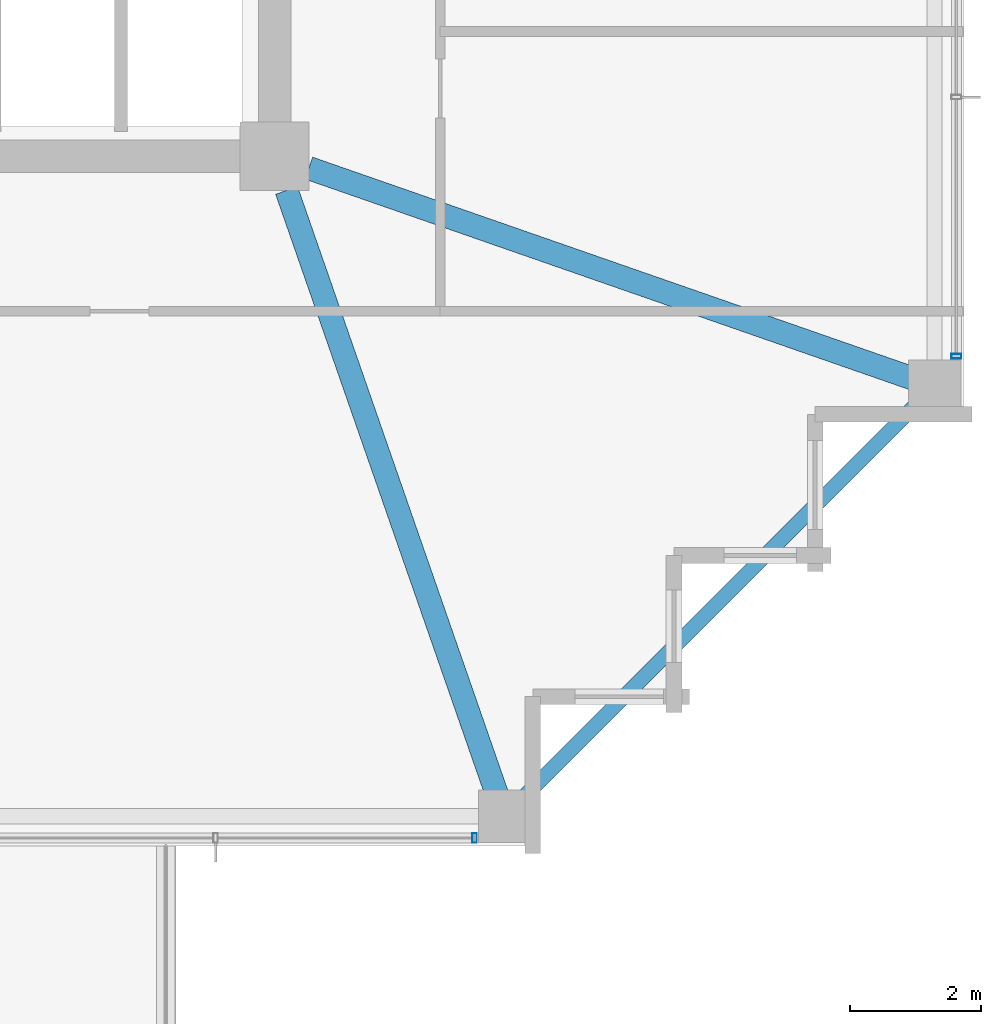
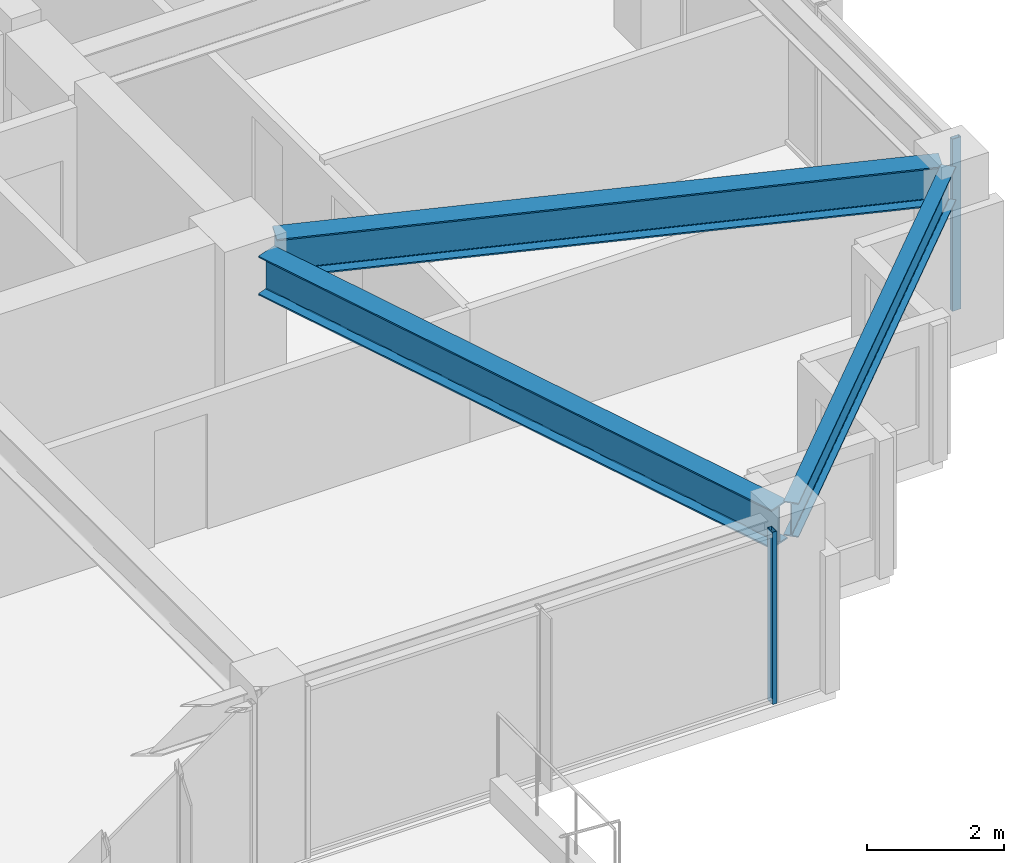
# One storey, part 11 of 36: 3 beams, 2 members, 2 elements without a shape of their own.
"""IFC4 building model written with IfcOpenShell, lengths in metres."""

from ifc_helpers import new_model, si_unit, direction, frame, origin, origin_2d, place, context, subcontext, project, spatial, hollow_rectangle, i_section, extrude, material, material_profile, profile_set, type_object, element, aggregate, save


model = new_model("IFC4")

# Units and contexts
model_context = context("Model", 3, precision=1e-05, world=origin(), true_north=direction((0.0, 1.0)))
body_context = subcontext(model_context, "Body", "Model", "MODEL_VIEW")
ifc_project = project(units=[si_unit("LENGTHUNIT", "METRE"), si_unit("AREAUNIT", "SQUARE_METRE"), si_unit("VOLUMEUNIT", "CUBIC_METRE"), si_unit("PLANEANGLEUNIT", "RADIAN"), si_unit("MASSUNIT", "GRAM", prefix="KILO")], contexts=[model_context])

# Site, building, storey
site_placement = place(None, origin())
site = spatial("IfcSite", under=ifc_project, at=site_placement, CompositionType="ELEMENT")
building_placement = place(site_placement, origin())
building = spatial("IfcBuilding", under=site, at=building_placement, Name="Kolvaren Belvedere", CompositionType="ELEMENT")
storey_placement = place(building_placement, frame((0.0, 0.0, 193.199951171875)))
storey = spatial("IfcBuildingStorey", under=building, at=storey_placement, Name="L56", CompositionType="ELEMENT", Elevation=193.199951171875)

# Beams
ifc_material_1 = material(Name="Structural steel ASTM A992 Grade 50", Category="steel")
ifc_material_profile_1 = material_profile(ifc_material_1, i_section(OverallWidth=0.35498046875, OverallDepth=0.696044921875, WebThickness=0.015380859375, FlangeThickness=0.02490234375, FilletRadius=0.02197265625, at=origin_2d()), Name="W27X146")
ifc_profile_set_1 = profile_set([ifc_material_profile_1], Name="Structural steel ASTM A992 Grade 50")
beam_type_1 = type_object("IfcBeamType", Name="BM-GIRD-W27X146", PredefinedType="BEAM", material=ifc_profile_set_1)
for number, where, z_axis, x_axis, name in (
    (1, (10.080810546875, -10.41943359375, 2.73193359375), (0.328898147971, -0.944365399758, 0.0), (0.944365399758, 0.328898147971, 0.0), "L56 Corner Core-to-Perimeter Girder CC2-S4"),
    (2, (10.41943359375, -10.080810546875, 2.73193359375), (0.944365399758, -0.328898147971, 0.0), (0.328898147971, 0.944365399758, 0.0), "L56 Corner Core-to-Perimeter Girder CC2-E1"),
):
    element("IfcBeam", number, at=place(storey_placement, frame(where, z_axis=z_axis, x_axis=x_axis)), inside=storey, type_object=beam_type_1, Name=name, PredefinedType="BEAM", context=body_context, shape_type="SweptSolid", body=[
        extrude(i_section(OverallWidth=0.35498046875, OverallDepth=0.696044921875, WebThickness=0.015380859375, FlangeThickness=0.02490234375, FilletRadius=0.02197265625, at=origin_2d()), origin(), (0.0, 0.0, 1.0), 9.931884765625),
    ])
ifc_material_2 = material(Name="Structural steel ASTM A992 Grade 50", Category="steel")
ifc_material_profile_2 = material_profile(ifc_material_2, i_section(OverallWidth=0.22900390625, OverallDepth=0.612060546875, WebThickness=0.011962890625, FlangeThickness=0.01953125, FilletRadius=0.01806640625, at=origin_2d()), Name="W24X84")
ifc_profile_set_2 = profile_set([ifc_material_profile_2], Name="Structural steel ASTM A992 Grade 50")
beam_type_2 = type_object("IfcBeamType", Name="BM-SPAN-W24X84", PredefinedType="SPANDREL", material=ifc_profile_set_2)
beam_placement = place(storey_placement, frame((13.52734375, -19.82275390625, 2.774169921875), z_axis=(0.707106781187, 0.707106781187, 0.0), x_axis=(-0.707106781187, 0.707106781187, 0.0)))
element("IfcBeam", 3, at=beam_placement, inside=storey, type_object=beam_type_2, Name="L56 Perimeter Spandrel S4-E1", PredefinedType="SPANDREL", context=body_context, shape_type="SweptSolid", body=[
    extrude(i_section(OverallWidth=0.22900390625, OverallDepth=0.612060546875, WebThickness=0.011962890625, FlangeThickness=0.01953125, FilletRadius=0.01806640625, at=origin_2d()), origin(), (0.0, 0.0, 1.0), 8.903076171875),
])

# Curtain wall, member
ifc_material_3 = material(Name="Anodised pale-metal aluminium AA 6063-T6", Category="aluminium")
curtain_wall_type = type_object("IfcCurtainWallType", Name="CW-Z5-HIGH", PredefinedType="NOTDEFINED", material=ifc_material_3)
curtain_wall_1_placement = place(storey_placement, origin())
curtain_wall_1 = element("IfcCurtainWall", 4, at=curtain_wall_1_placement, inside=storey, type_object=curtain_wall_type, Name="L56 Unitised Curtain Wall FCW-L56-S1-B1", PredefinedType="NOTDEFINED")
ifc_material_4 = material(Name="Anodised pale-metal aluminium AA 6063-T6", Category="aluminium")
ifc_material_profile_3 = material_profile(ifc_material_4, hollow_rectangle(XDim=0.070068359375, YDim=0.14990234375, WallThickness=0.004150390625, at=origin_2d()), Name="ALU-MUL-150X70")
ifc_profile_set_3 = profile_set([ifc_material_profile_3], Name="Anodised pale-metal aluminium AA 6063-T6")
member_type = type_object("IfcMemberType", Name="CW-MUL-150", PredefinedType="MULLION", material=ifc_profile_set_3)
member_1_placement = place(storey_placement, frame((12.945068359375, -20.280029296875, 0.0), z_axis=(0.0, 0.0, 1.0), x_axis=(1.0, 0.0, 0.0)))
member_1 = element("IfcMember", 5, at=member_1_placement, type_object=member_type, Name="FCW-L56-S1-B1 Unitised Mullion 1", PredefinedType="MULLION", context=body_context, shape_type="SweptSolid", body=[
    extrude(hollow_rectangle(XDim=0.070068359375, YDim=0.14990234375, WallThickness=0.004150390625, at=origin_2d()), origin(), (0.0, 0.0, 1.0), 3.080078125),
])
aggregate(curtain_wall_1, [member_1])

curtain_wall_2_placement = place(storey_placement, origin())
curtain_wall_2 = element("IfcCurtainWall", 6, at=curtain_wall_2_placement, inside=storey, type_object=curtain_wall_type, Name="L56 Unitised Curtain Wall FCW-L56-E-B3", PredefinedType="NOTDEFINED")
member_2_placement = place(storey_placement, frame((20.280029296875, -12.945068359375, 0.0), z_axis=(0.0, 0.0, 1.0), x_axis=(0.0, 1.0, 0.0)))
member_2 = element("IfcMember", 7, at=member_2_placement, type_object=member_type, Name="FCW-L56-E-B3 Unitised Mullion 3", PredefinedType="MULLION", context=body_context, shape_type="SweptSolid", body=[
    extrude(hollow_rectangle(XDim=0.070068359375, YDim=0.14990234375, WallThickness=0.004150390625, at=origin_2d()), origin(), (0.0, 0.0, 1.0), 3.080078125),
])
aggregate(curtain_wall_2, [member_2])

save(model, "model.ifc")
